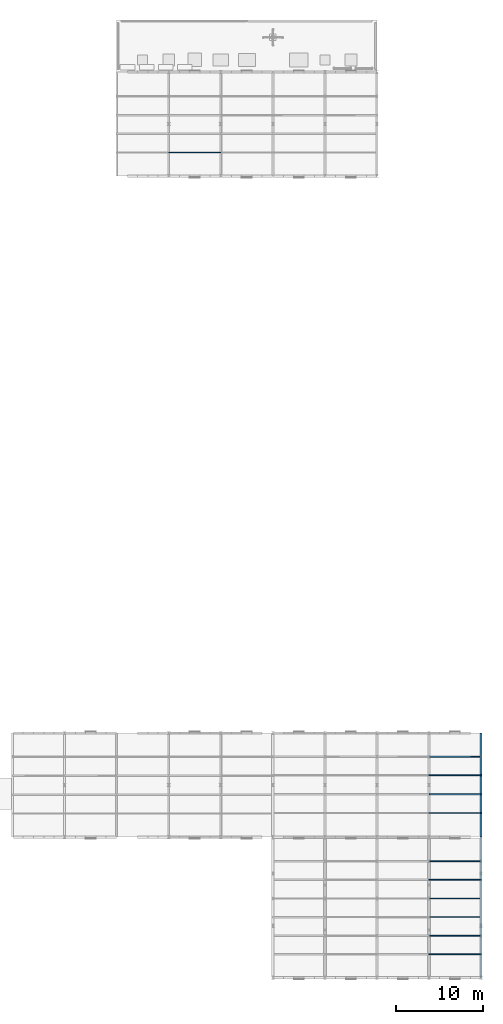
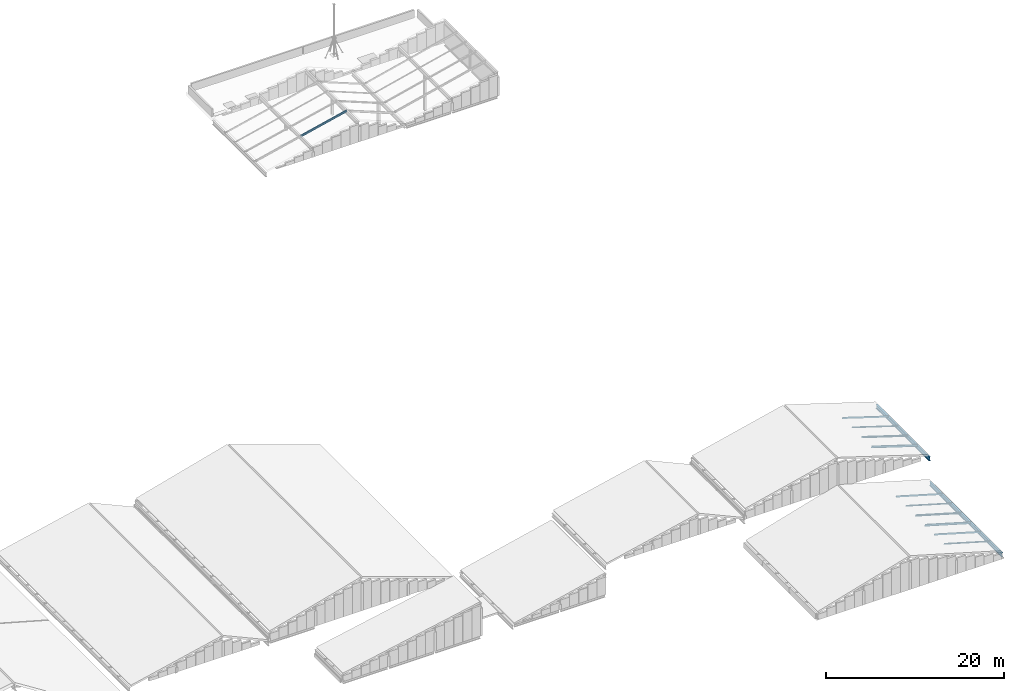
# One storey, part 19 of 74: 11 members, 2 beams.
"""IFC4 building model written with IfcOpenShell, lengths in metres."""

from ifc_helpers import new_model, si_unit, direction, frame, origin, origin_2d, place, context, subcontext, project, spatial, hollow_rectangle, i_section, extrude, material, material_profile, profile_set, type_object, element, save


model = new_model("IFC4")

# Units and contexts
model_context = context("Model", 3, precision=1e-05, world=origin(), true_north=direction((0.0, 1.0)))
body_context = subcontext(model_context, "Body", "Model", "MODEL_VIEW")
ifc_project = project(units=[si_unit("LENGTHUNIT", "METRE"), si_unit("AREAUNIT", "SQUARE_METRE"), si_unit("VOLUMEUNIT", "CUBIC_METRE"), si_unit("PLANEANGLEUNIT", "RADIAN"), si_unit("MASSUNIT", "GRAM", prefix="KILO")], contexts=[model_context])

# Site, building, storey
site_placement = place(None, origin())
site = spatial("IfcSite", under=ifc_project, at=site_placement, CompositionType="ELEMENT")
building_placement = place(site_placement, origin())
building = spatial("IfcBuilding", under=site, at=building_placement, Name="Siltcreek Boulevard Central Fire Station", CompositionType="ELEMENT")
storey_placement = place(building_placement, frame((0.0, 0.0, 25.199951171875)))
storey = spatial("IfcBuildingStorey", under=building, at=storey_placement, Name="RF", CompositionType="ELEMENT", Elevation=25.199951171875)

# Beams
ifc_material_1 = material(Name="Structural steel ASTM A992 Gr50", Category="steel")
ifc_material_profile_1 = material_profile(ifc_material_1, i_section(OverallWidth=0.2109375, OverallDepth=0.5390625, WebThickness=0.01171875, FlangeThickness=0.018798828125, at=origin_2d()), Name="W530X109")
ifc_profile_set_1 = profile_set([ifc_material_profile_1], Name="Structural steel ASTM A992 Gr50")
beam_type = type_object("IfcBeamType", Name="BM_W530X109", PredefinedType="BEAM", material=ifc_profile_set_1)
beam_1_placement = place(storey_placement, frame((166.199951171875, 1.81005859375, -14.734375), z_axis=(0.0, 1.0, 0.0), x_axis=(-1.0, 0.0, 0.0)))
element("IfcBeam", 1, at=beam_1_placement, inside=storey, type_object=beam_type, Name="Pitched roof rafter beam RFB-068", PredefinedType="BEAM", context=body_context, shape_type="SweptSolid", body=[
    extrude(i_section(OverallWidth=0.2109375, OverallDepth=0.5390625, WebThickness=0.01171875, FlangeThickness=0.018798828125, at=origin_2d()), origin(), (0.0, 0.0, 1.0), 16.179931640625),
])
beam_2_placement = place(storey_placement, frame((166.199951171875, 18.010009765625, -11.439453125), z_axis=(0.0, 1.0, 0.0), x_axis=(-1.0, 0.0, 0.0)))
element("IfcBeam", 2, at=beam_2_placement, inside=storey, type_object=beam_type, Name="Pitched roof rafter beam RFB-073", PredefinedType="BEAM", context=body_context, shape_type="SweptSolid", body=[
    extrude(i_section(OverallWidth=0.2109375, OverallDepth=0.5390625, WebThickness=0.01171875, FlangeThickness=0.018798828125, at=origin_2d()), origin(), (0.0, 0.0, 1.0), 11.97998046875),
])

# Members
ifc_material_2 = material(Name="Structural steel ASTM A500 GrC", Category="steel")
ifc_material_profile_2 = material_profile(ifc_material_2, hollow_rectangle(XDim=0.10009765625, YDim=0.199951171875, WallThickness=0.00634765625, at=origin_2d()), Name="HSS200X100X6.4")
ifc_profile_set_2 = profile_set([ifc_material_profile_2], Name="Structural steel ASTM A500 GrC")
member_type_1 = type_object("IfcMemberType", Name="PR_HSS200X100", PredefinedType="PURLIN", material=ifc_profile_set_2)
for number, where, z_axis, x_axis, name in (
    (3, (160.2099609375, 6.641357421875, -12.781494140625), (0.960000877925, 0.0, -0.279996989953), (0.0, 1.0, 0.0), "Sloped roof purlin PR-0327"),
    (4, (160.2099609375, 15.224365234375, -12.781494140625), (0.960000877925, 0.0, -0.279996989953), (0.0, 1.0, 0.0), "Sloped roof purlin PR-0331"),
):
    element("IfcMember", number, at=place(storey_placement, frame(where, z_axis=z_axis, x_axis=x_axis)), inside=storey, type_object=member_type_1, Name=name, PredefinedType="PURLIN", context=body_context, shape_type="SweptSolid", body=[
        extrude(hollow_rectangle(XDim=0.10009765625, YDim=0.199951171875, WallThickness=0.00634765625, at=origin_2d()), origin(), (0.0, 0.0, 1.0), 6.229248046875),
    ])
member_1_placement = place(storey_placement, frame((160.2099609375, 27.285888671875, -9.334228515625), z_axis=(0.953335877476, 0.0, -0.301911749881), x_axis=(0.0, 1.0, 0.0)))
element("IfcMember", 5, at=member_1_placement, inside=storey, type_object=member_type_1, Name="Sloped roof purlin PR-0347", PredefinedType="PURLIN", context=body_context, shape_type="SweptSolid", body=[
    extrude(hollow_rectangle(XDim=0.10009765625, YDim=0.199951171875, WallThickness=0.00634765625, at=origin_2d()), origin(), (0.0, 0.0, 1.0), 6.272705078125),
])
ifc_material_profile_3 = material_profile(ifc_material_1, i_section(OverallWidth=0.10205078125, OverallDepth=0.159912109375, WebThickness=0.006591796875, FlangeThickness=0.01025390625, at=origin_2d()), Name="W150X24")
ifc_profile_set_3 = profile_set([ifc_material_profile_3], Name="Structural steel ASTM A992 Gr50")
member_type_2 = type_object("IfcMemberType", Name="PR_W150X24", PredefinedType="PURLIN", material=ifc_profile_set_3)
for number, where, z_axis, x_axis, name in (
    (6, (160.2099609375, 4.49560546875, -12.760498046875), (0.959990342304, 0.0, -0.280033109976), (0.0, 1.0, 0.0), "Sloped roof purlin PR-0326"),
    (7, (160.2099609375, 13.07861328125, -12.760498046875), (0.959990342304, 0.0, -0.280033109976), (0.0, 1.0, 0.0), "Sloped roof purlin PR-0330"),
):
    element("IfcMember", number, at=place(storey_placement, frame(where, z_axis=z_axis, x_axis=x_axis)), inside=storey, type_object=member_type_2, Name=name, PredefinedType="PURLIN", context=body_context, shape_type="SweptSolid", body=[
        extrude(i_section(OverallWidth=0.10205078125, OverallDepth=0.159912109375, WebThickness=0.006591796875, FlangeThickness=0.01025390625, at=origin_2d()), origin(), (0.0, 0.0, 1.0), 6.229248046875),
    ])
member_2_placement = place(storey_placement, frame((160.2099609375, 25.1220703125, -9.313232421875), z_axis=(0.953335877476, 0.0, -0.301911749881), x_axis=(0.0, 1.0, 0.0)))
element("IfcMember", 8, at=member_2_placement, inside=storey, type_object=member_type_2, Name="Sloped roof purlin PR-0346", PredefinedType="PURLIN", context=body_context, shape_type="SweptSolid", body=[
    extrude(i_section(OverallWidth=0.10205078125, OverallDepth=0.159912109375, WebThickness=0.006591796875, FlangeThickness=0.01025390625, at=origin_2d()), origin(), (0.0, 0.0, 1.0), 6.272705078125),
])
ifc_material_profile_4 = material_profile(ifc_material_1, i_section(OverallWidth=0.1650390625, OverallDepth=0.200927734375, WebThickness=0.006103515625, FlangeThickness=0.01025390625, at=origin_2d()), Name="W200X36")
ifc_profile_set_4 = profile_set([ifc_material_profile_4], Name="Structural steel ASTM A992 Gr50")
member_type_3 = type_object("IfcMemberType", Name="PR_W200X36", PredefinedType="PURLIN", material=ifc_profile_set_4)
member_3_placement = place(storey_placement, frame((160.2099609375, 10.932861328125, -12.781982421875), z_axis=(0.960000877925, 0.0, -0.279996989953), x_axis=(0.0, 1.0, 0.0)))
element("IfcMember", 9, at=member_3_placement, inside=storey, type_object=member_type_3, Name="Sloped roof purlin PR-0329", PredefinedType="PURLIN", context=body_context, shape_type="SweptSolid", body=[
    extrude(i_section(OverallWidth=0.1650390625, OverallDepth=0.200927734375, WebThickness=0.006103515625, FlangeThickness=0.01025390625, at=origin_2d()), origin(), (0.0, 0.0, 1.0), 6.229248046875),
])
member_4_placement = place(storey_placement, frame((160.2099609375, 22.9580078125, -9.334716796875), z_axis=(0.953335877476, 0.0, -0.301911749881), x_axis=(0.0, 1.0, 0.0)))
element("IfcMember", 10, at=member_4_placement, inside=storey, type_object=member_type_3, Name="Sloped roof purlin PR-0345", PredefinedType="PURLIN", context=body_context, shape_type="SweptSolid", body=[
    extrude(i_section(OverallWidth=0.1650390625, OverallDepth=0.200927734375, WebThickness=0.006103515625, FlangeThickness=0.01025390625, at=origin_2d()), origin(), (0.0, 0.0, 1.0), 6.272705078125),
])
ifc_material_profile_5 = material_profile(ifc_material_1, i_section(OverallWidth=0.14697265625, OverallDepth=0.261962890625, WebThickness=0.006591796875, FlangeThickness=0.01123046875, at=origin_2d()), Name="W250X39")
ifc_profile_set_5 = profile_set([ifc_material_profile_5], Name="Structural steel ASTM A992 Gr50")
member_type_4 = type_object("IfcMemberType", Name="PR_W250X39", PredefinedType="PURLIN", material=ifc_profile_set_5)
member_5_placement = place(storey_placement, frame((130.2099609375, 96.9140625, -2.452880859375), z_axis=(0.973843555816, 0.0, 0.227219560769), x_axis=(0.0, 1.0, 0.0)))
element("IfcMember", 11, at=member_5_placement, inside=storey, type_object=member_type_4, Name="Sloped roof purlin PR-0272", PredefinedType="PURLIN", context=body_context, shape_type="SweptSolid", body=[
    extrude(i_section(OverallWidth=0.14697265625, OverallDepth=0.261962890625, WebThickness=0.006591796875, FlangeThickness=0.01123046875, at=origin_2d()), origin(), (0.0, 0.0, 1.0), 6.140625),
])
member_6_placement = place(storey_placement, frame((160.2099609375, 8.787109375, -12.813720703125), z_axis=(0.960000877925, 0.0, -0.279996989953), x_axis=(0.0, 1.0, 0.0)))
element("IfcMember", 12, at=member_6_placement, inside=storey, type_object=member_type_4, Name="Sloped roof purlin PR-0328", PredefinedType="PURLIN", context=body_context, shape_type="SweptSolid", body=[
    extrude(i_section(OverallWidth=0.14697265625, OverallDepth=0.261962890625, WebThickness=0.006591796875, FlangeThickness=0.01123046875, at=origin_2d()), origin(), (0.0, 0.0, 1.0), 6.229248046875),
])
member_7_placement = place(storey_placement, frame((160.2099609375, 20.7939453125, -9.36669921875), z_axis=(0.953335877476, 0.0, -0.301911749881), x_axis=(0.0, 1.0, 0.0)))
element("IfcMember", 13, at=member_7_placement, inside=storey, type_object=member_type_4, Name="Sloped roof purlin PR-0344", PredefinedType="PURLIN", context=body_context, shape_type="SweptSolid", body=[
    extrude(i_section(OverallWidth=0.14697265625, OverallDepth=0.261962890625, WebThickness=0.006591796875, FlangeThickness=0.01123046875, at=origin_2d()), origin(), (0.0, 0.0, 1.0), 6.272705078125),
])

save(model, "model.ifc")
